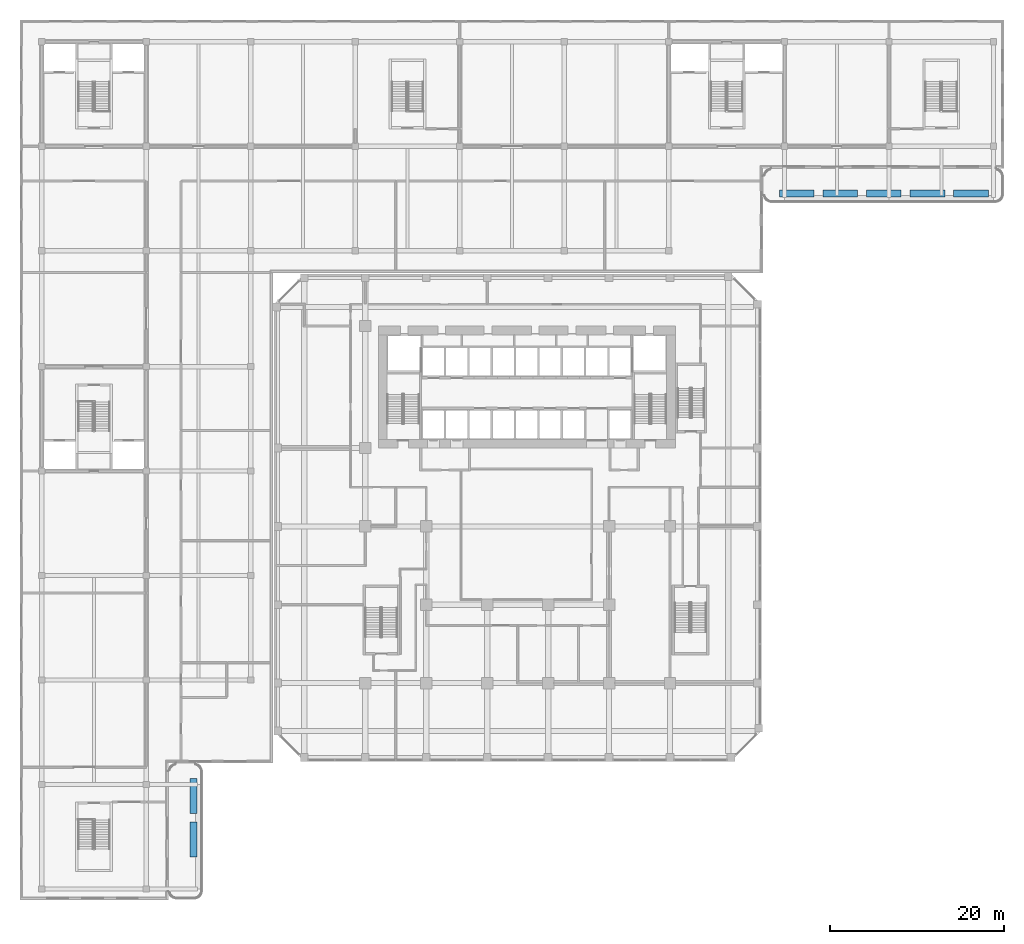
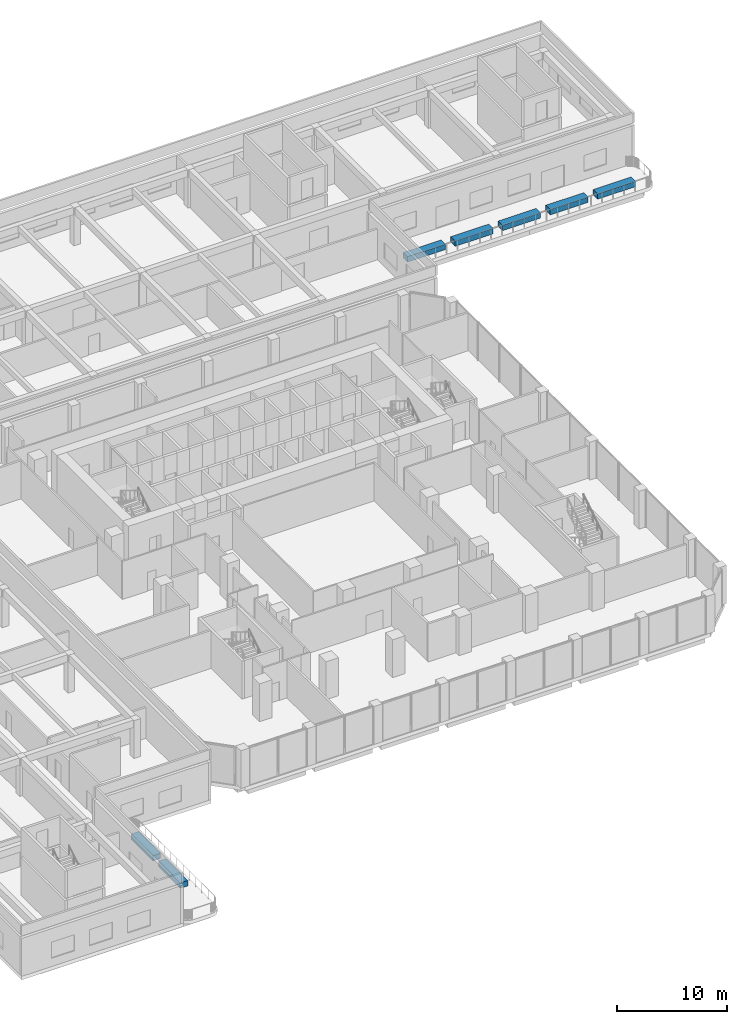
# One storey, part 26 of 35: 7 discrete accessories.
"""IFC4 building model written with IfcOpenShell, lengths in metres."""

import ifcopenshell
import ifcopenshell.guid

model = None  # the IFC model being written
_history = None  # IfcOwnerHistory: only IFC2X3 demands one
_inside = {}  # id of a spatial element -> (the spatial element, [elements in it])
_under = {}  # id of a project, library or spatial element -> (it, [spatial elements below it])
_declared = {}  # id of a project -> (the project, [libraries it declares])
_typed = {}  # id of a type object -> (the type object, [elements of that type])
_made_of = {}  # id of a material, layer set ... -> (it, [elements and type objects made of it])


def new_model(schema):
    """Start an empty IFC model of exactly this schema.

    Asked for "IFC4X3", IfcOpenShell would pick the latest addendum, in which some entities
    have other attributes; the version numbers below select the first issue.
    IFC2X3 requires an IfcOwnerHistory on every rooted entity: one is made here for all.
    """
    global model, _history
    if schema == "IFC4X3":
        model = ifcopenshell.file(schema_version=(4, 3, 0, 0))
    else:
        model = ifcopenshell.file(schema=schema)
    _inside.clear()
    _under.clear()
    _declared.clear()
    _typed.clear()
    _made_of.clear()
    _history = None
    if model.schema == "IFC2X3":
        org = make("IfcOrganization", Name="unknown")
        user = make(
            "IfcPersonAndOrganization",
            ThePerson=make("IfcPerson", FamilyName="unknown"),
            TheOrganization=org,
        )
        app = make(
            "IfcApplication",
            ApplicationDeveloper=org,
            Version="unknown",
            ApplicationFullName="unknown",
            ApplicationIdentifier="unknown",
        )
        _history = make(
            "IfcOwnerHistory",
            OwningUser=user,
            OwningApplication=app,
            ChangeAction="ADDED",
            CreationDate=0,
        )
    return model


def make(cls, **values):
    """One entity of the class cls with the attributes given. An attribute that is None is left unset."""
    return model.create_entity(
        cls, **{name: value for name, value in values.items() if value is not None}
    )


def rooted(cls, **values):
    """An entity with a GlobalId (a new one), such as an element, a storey or a relation."""
    return make(cls, GlobalId=ifcopenshell.guid.new(), OwnerHistory=_history, **values)


def si_unit(unit_type, name, prefix=None):
    """IfcSIUnit, for example si_unit("LENGTHUNIT", "METRE", prefix="MILLI")."""
    return make("IfcSIUnit", UnitType=unit_type, Prefix=prefix, Name=name)


def assignment(units):
    """IfcUnitAssignment: the units of a project."""
    return None if units is None else make("IfcUnitAssignment", Units=units)


def point(xyz):
    """IfcCartesianPoint."""
    return None if xyz is None else make("IfcCartesianPoint", Coordinates=xyz)


def direction(xyz):
    """IfcDirection."""
    return None if xyz is None else make("IfcDirection", DirectionRatios=xyz)


def frame(location, z_axis=None, x_axis=None):
    """IfcAxis2Placement3D, a coordinate frame: its origin and axes. An axis left out is left unset."""
    return make(
        "IfcAxis2Placement3D",
        Location=point(location),
        Axis=direction(z_axis),
        RefDirection=direction(x_axis),
    )


def frame_2d(location, x_axis=None):
    """IfcAxis2Placement2D, a coordinate frame in the plane: its origin and x axis."""
    return make(
        "IfcAxis2Placement2D", Location=point(location), RefDirection=direction(x_axis)
    )


def origin():
    """The frame at (0, 0, 0) with its axes left unset."""
    return frame((0.0, 0.0, 0.0))


def origin_2d():
    """The frame at (0, 0) in the plane with its x axis left unset."""
    return frame_2d((0.0, 0.0))


def place(relative_to, where):
    """IfcLocalPlacement: puts the frame where relative to a parent placement (None: the world)."""
    return make(
        "IfcLocalPlacement", PlacementRelTo=relative_to, RelativePlacement=where
    )


def context(
    kind, dimensions, precision=None, world=None, true_north=None, identifier=None
):
    """IfcGeometricRepresentationContext, for example the 3D "Model" context."""
    return make(
        "IfcGeometricRepresentationContext",
        ContextIdentifier=identifier,
        ContextType=kind,
        CoordinateSpaceDimension=dimensions,
        Precision=precision,
        WorldCoordinateSystem=world,
        TrueNorth=true_north,
    )


def subcontext(parent, identifier, kind, view, scale=None):
    """IfcGeometricRepresentationSubContext, for example "Body" below "Model"."""
    return make(
        "IfcGeometricRepresentationSubContext",
        ContextIdentifier=identifier,
        ContextType=kind,
        ParentContext=parent,
        TargetScale=scale,
        TargetView=view,
    )


def project(units=None, contexts=None):
    """IfcProject with its units and contexts."""
    return rooted(
        "IfcProject",
        Name="project",
        RepresentationContexts=contexts,
        UnitsInContext=assignment(units),
    )


def spatial(cls, under=None, at=None, **own):
    """A site, building, storey or space (cls), placed at a placement, below another one or the project."""
    s = rooted(cls, ObjectPlacement=at, **own)
    if under is not None:
        _under.setdefault(under.id(), (under, []))[1].append(s)
    return s


def profile(cls, at=None, kind="AREA", **sizes):
    """A parametric profile (cls). Its sizes go by their IFC names, for example OverallWidth=200.0."""
    return make(cls, ProfileType=kind, Position=at, **sizes)


def rectangle(**sizes):
    """IfcRectangleProfileDef."""
    return profile("IfcRectangleProfileDef", **sizes)


def extrude(swept, where, along, depth):
    """IfcExtrudedAreaSolid: the profile swept, set in the frame where, extruded along a direction by depth."""
    return make(
        "IfcExtrudedAreaSolid",
        SweptArea=swept,
        Position=where,
        ExtrudedDirection=direction(along),
        Depth=depth,
    )


def shape(context_of_items, identifier, shape_type, items):
    """IfcShapeRepresentation: the items that make up one representation, for example the "Body"."""
    return make(
        "IfcShapeRepresentation",
        ContextOfItems=context_of_items,
        RepresentationIdentifier=identifier,
        RepresentationType=shape_type,
        Items=items,
    )


def source(mapping_origin, context_of_items, identifier, shape_type, items):
    """IfcRepresentationMap: a shape defined once, which mapped items show again and again."""
    return make(
        "IfcRepresentationMap",
        MappingOrigin=mapping_origin,
        MappedRepresentation=shape(context_of_items, identifier, shape_type, items),
    )


def transform(
    local_origin,
    x_axis=None,
    y_axis=None,
    z_axis=None,
    scale=None,
    scale2=None,
    scale3=None,
    uniform=True,
):
    """IfcCartesianTransformationOperator3D, or its non-uniform kind. x_axis, y_axis, z_axis: its Axis1, 2, 3."""
    if uniform:
        return make(
            "IfcCartesianTransformationOperator3D",
            Axis1=direction(x_axis),
            Axis2=direction(y_axis),
            LocalOrigin=point(local_origin),
            Scale=scale,
            Axis3=direction(z_axis),
        )
    return make(
        "IfcCartesianTransformationOperator3DnonUniform",
        Axis1=direction(x_axis),
        Axis2=direction(y_axis),
        LocalOrigin=point(local_origin),
        Scale=scale,
        Axis3=direction(z_axis),
        Scale2=scale2,
        Scale3=scale3,
    )


def mapped(mapping_source, mapping_target):
    """IfcMappedItem: shows the shape of a source again, moved by a transform."""
    return make(
        "IfcMappedItem", MappingSource=mapping_source, MappingTarget=mapping_target
    )


def material(Name=None, Category=None):
    """IfcMaterial."""
    return make("IfcMaterial", Name=Name, Category=Category)


def layer(
    of_material, thickness, ventilated=None, Name=None, Category=None, Priority=None
):
    """IfcMaterialLayer: one layer of a wall or slab, of a material (None: an air gap)."""
    return make(
        "IfcMaterialLayer",
        Material=of_material,
        LayerThickness=thickness,
        IsVentilated=ventilated,
        Name=Name,
        Category=Category,
        Priority=Priority,
    )


def layer_set(layers, Name=None):
    """IfcMaterialLayerSet."""
    return make("IfcMaterialLayerSet", MaterialLayers=layers, LayerSetName=Name)


def made_of(thing, what):
    """Note that an element or type object is made of a material, layer set ...; save() writes the relation."""
    if what is not None:
        _made_of.setdefault(what.id(), (what, []))[1].append(thing)
    return thing


def type_object(cls, material=None, **own):
    """A type object (cls), such as IfcWallType, which elements share."""
    return made_of(rooted(cls, **own), material)


def element(
    cls,
    number,
    at=None,
    inside=None,
    cuts=None,
    type_object=None,
    material=None,
    context=None,
    identifier="Body",
    shape_type=None,
    held_by="IfcProductDefinitionShape",
    body=None,
    shapes=None,
    **own,
):
    """One element of the class cls, such as IfcWall. Its Tag is "e" and its number.

    at: its placement. inside: the storey or other place that contains it. cuts: it is an
    opening in that element (IfcRelVoidsElement). A single representation is given by context,
    identifier, shape_type and body (its items); several are given by shapes. held_by: the class
    of the entity that holds the representations. save() writes the other relations.
    """
    e = rooted(cls, Tag="e%d" % number, ObjectPlacement=at, **own)
    if body is not None:
        shapes = [shape(context, identifier, shape_type, body)]
    if shapes is not None:
        e.Representation = make(held_by, Representations=shapes)
    if inside is not None:
        _inside.setdefault(inside.id(), (inside, []))[1].append(e)
    if cuts is not None:
        rooted(
            "IfcRelVoidsElement", RelatingBuildingElement=cuts, RelatedOpeningElement=e
        )
    if type_object is not None:
        _typed.setdefault(type_object.id(), (type_object, []))[1].append(e)
    return made_of(e, material)


def aggregate(whole, parts):
    """IfcRelAggregates: a whole, such as a stair, and the parts it consists of."""
    return rooted("IfcRelAggregates", RelatingObject=whole, RelatedObjects=parts)


def save(model, path):
    """Write the relations noted so far, then the file.

    IfcRelAggregates (storeys below a building ...), IfcRelContainedInSpatialStructure (elements
    in a storey), IfcRelDefinesByType, IfcRelAssociatesMaterial and IfcRelDeclares: one each for
    every whole, place, type object, material and project.
    """
    for whole, parts in _under.values():
        aggregate(whole, parts)
    for where, things in _inside.values():
        rooted(
            "IfcRelContainedInSpatialStructure",
            RelatedElements=things,
            RelatingStructure=where,
        )
    for kind, things in _typed.values():
        rooted("IfcRelDefinesByType", RelatedObjects=things, RelatingType=kind)
    for what, things in _made_of.values():
        rooted("IfcRelAssociatesMaterial", RelatedObjects=things, RelatingMaterial=what)
    for by, libraries in _declared.values():
        rooted("IfcRelDeclares", RelatingContext=by, RelatedDefinitions=libraries)
    model.write(path)


model = new_model("IFC4")

# Units and contexts
model_context = context("Model", 3, precision=1e-05, world=origin(), true_north=direction((0.0, 1.0)))
body_context = subcontext(model_context, "Body", "Model", "MODEL_VIEW")
ifc_project = project(units=[si_unit("LENGTHUNIT", "METRE"), si_unit("AREAUNIT", "SQUARE_METRE"), si_unit("VOLUMEUNIT", "CUBIC_METRE"), si_unit("PLANEANGLEUNIT", "RADIAN"), si_unit("MASSUNIT", "GRAM", prefix="KILO")], contexts=[model_context])

# Site, building, storey
site_placement = place(None, origin())
site = spatial("IfcSite", under=ifc_project, at=site_placement, CompositionType="ELEMENT")
building_placement = place(site_placement, origin())
building = spatial("IfcBuilding", under=site, at=building_placement, Name="Kilnfold Tower and Market Hall", CompositionType="ELEMENT")
storey_placement = place(building_placement, frame((0.0, 0.0, 22.5)))
storey = spatial("IfcBuildingStorey", under=building, at=storey_placement, Name="L04", CompositionType="ELEMENT", Elevation=22.5)

# Discrete accessories
ifc_material = material(Name="Concrete C40/50", Category="concrete")
ifc_layer = layer(ifc_material, 0.800048828125)
ifc_layer_set = layer_set([ifc_layer], Name="Concrete C40/50")
discrete_accessory_type = type_object("IfcDiscreteAccessoryType", Name="PLANTER 800X600", PredefinedType="USERDEFINED", material=ifc_layer_set)
shared_shape = source(origin(), body_context, "Body", "SweptSolid", [
    extrude(rectangle(XDim=4.0, YDim=0.800048828125, at=origin_2d()), origin(), (0.0, 0.0, 1.0), 0.60009765625),
])
for number, where, z_axis, x_axis, name in (
    (1, (-37.25, -31.963623046875, 0.0), (0.0, 0.0, 1.0), (0.0, -1.0, 0.0), "Planter"),
    (2, (-37.25, -36.963623046875, 0.0), (0.0, 0.0, 1.0), (0.0, -1.0, 0.0), "Planter"),
    (3, (52.04638671875, 37.25, 0.0), (0.0, 0.0, 1.0), (-1.0, 0.0, 0.0), "Planter"),
    (4, (47.04638671875, 37.25, 0.0), (0.0, 0.0, 1.0), (-1.0, 0.0, 0.0), "Planter"),
    (5, (42.04638671875, 37.25, 0.0), (0.0, 0.0, 1.0), (-1.0, 0.0, 0.0), "Planter"),
    (6, (37.04638671875, 37.25, 0.0), (0.0, 0.0, 1.0), (-1.0, 0.0, 0.0), "Planter"),
    (7, (32.04638671875, 37.25, 0.0), (0.0, 0.0, 1.0), (-1.0, 0.0, 0.0), "Planter"),
):
    element("IfcDiscreteAccessory", number, at=place(storey_placement, frame(where, z_axis=z_axis, x_axis=x_axis)), inside=storey, type_object=discrete_accessory_type, Name=name, ObjectType="PLANTER", PredefinedType="USERDEFINED", context=body_context, shape_type="MappedRepresentation", body=[
        mapped(shared_shape, transform((0.0, 0.0, 0.0))),
    ])

save(model, "model.ifc")
